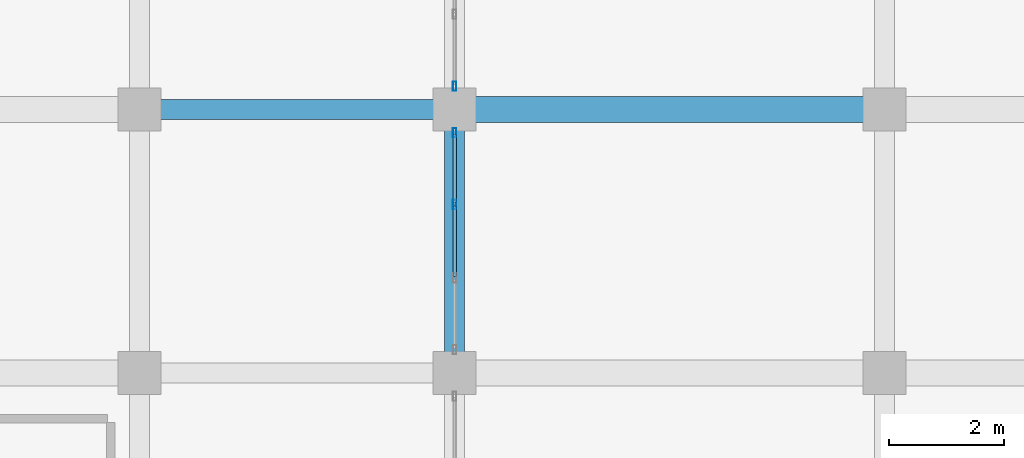
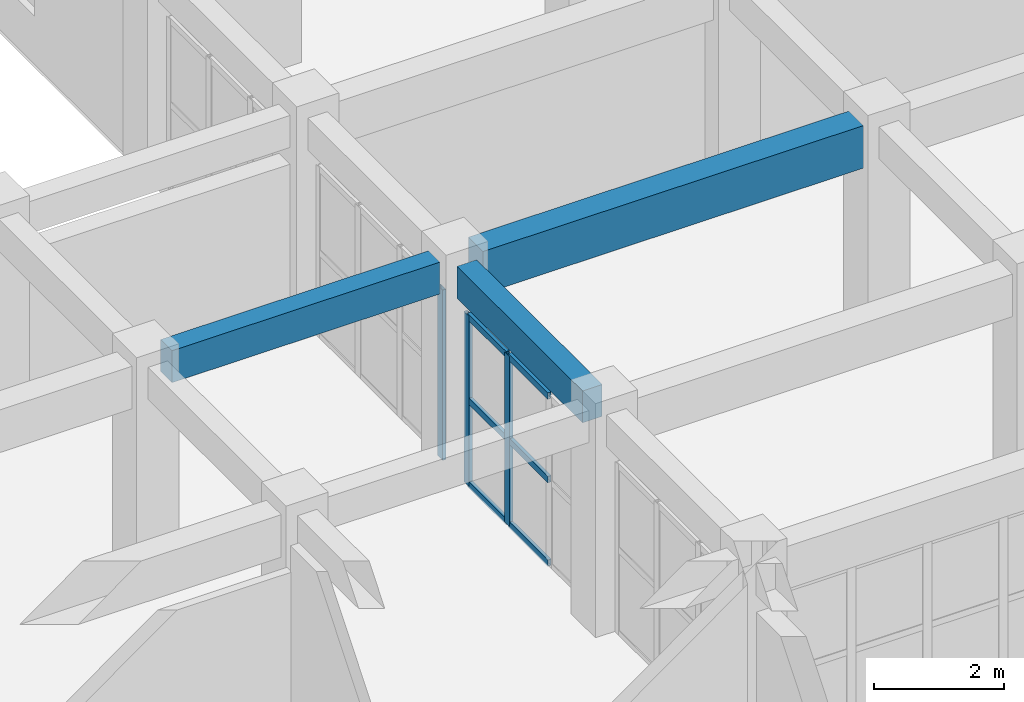
# One storey, part 27 of 116: 9 members, 3 beams, 2 elements without a shape of their own.
"""IFC4 building model written with IfcOpenShell, lengths in metres."""

from ifc_helpers import new_model, si_unit, direction, frame, origin, origin_2d, place, context, subcontext, project, spatial, rectangle, hollow_rectangle, extrude, material, layer, layer_set, material_profile, profile_set, type_object, element, aggregate, save


model = new_model("IFC4")

# Units and contexts
model_context = context("Model", 3, precision=1e-05, world=origin(), true_north=direction((0.0, 1.0)))
body_context = subcontext(model_context, "Body", "Model", "MODEL_VIEW")
ifc_project = project(units=[si_unit("LENGTHUNIT", "METRE"), si_unit("AREAUNIT", "SQUARE_METRE"), si_unit("VOLUMEUNIT", "CUBIC_METRE"), si_unit("PLANEANGLEUNIT", "RADIAN"), si_unit("MASSUNIT", "GRAM", prefix="KILO")], contexts=[model_context])

# Site, building, storey
site_placement = place(None, origin())
site = spatial("IfcSite", under=ifc_project, at=site_placement, CompositionType="ELEMENT")
building_placement = place(site_placement, origin())
building = spatial("IfcBuilding", under=site, at=building_placement, Name="Muzn Square Opera House", CompositionType="ELEMENT")
storey_placement = place(building_placement, frame((0.0, 0.0, 5.39990234375)))
storey = spatial("IfcBuildingStorey", under=building, at=storey_placement, Name="L01", CompositionType="ELEMENT", Elevation=5.39990234375)

# Curtain wall, members
ifc_material_1 = material(Name="Low-E laminated acoustic double glazing", Category="glass")
ifc_layer = layer(ifc_material_1, 0.159912109375, Name="Low-E laminated acoustic double glazing", Category="glass")
ifc_layer_set = layer_set([ifc_layer], Name="Low-E laminated acoustic double glazing")
curtain_wall_type = type_object("IfcCurtainWallType", Name="Glazed Curtain Wall WestCourt 3850x3200", PredefinedType="USERDEFINED", material=ifc_layer_set)
curtain_wall_1_placement = place(storey_placement, origin())
curtain_wall_1 = element("IfcCurtainWall", 1, at=curtain_wall_1_placement, inside=storey, type_object=curtain_wall_type, Name="Glazed Curtain Wall CW-L01-145", ObjectType="GLAZED CURTAIN WALL", PredefinedType="USERDEFINED")
ifc_material_2 = material(Name="Anodised bronze aluminium 6063-T6", Category="metal")
ifc_material_profile_1 = material_profile(ifc_material_2, hollow_rectangle(XDim=0.06005859375, YDim=0.159912109375, WallThickness=0.00390625, at=origin_2d()), Name="ALU 160x60x4", Category="metal")
ifc_profile_set_1 = profile_set([ifc_material_profile_1], Name="Anodised bronze aluminium 6063-T6")
member_type_1 = type_object("IfcMemberType", Name="Curtain Wall Mullion 160x60", PredefinedType="MULLION", material=ifc_profile_set_1)
member_1_placement = place(storey_placement, frame((19.0, 61.74169921875, 0.0), z_axis=(0.0, 0.0, 1.0), x_axis=(-1.0, 0.0, 0.0)))
member_1 = element("IfcMember", 2, at=member_1_placement, type_object=member_type_1, Name="CW-WCT-38x32 mullion 3", PredefinedType="MULLION", context=body_context, shape_type="SweptSolid", body=[
    extrude(hollow_rectangle(XDim=0.06005859375, YDim=0.159912109375, WallThickness=0.00390625, at=origin_2d()), origin(), (0.0, 0.0, 1.0), 3.2001953125),
])
member_2_placement = place(storey_placement, frame((19.0, 62.9951171875, 0.0), z_axis=(0.0, 0.0, 1.0), x_axis=(-1.0, 0.0, 0.0)))
member_2 = element("IfcMember", 3, at=member_2_placement, type_object=member_type_1, Name="CW-WCT-38x32 mullion 4", PredefinedType="MULLION", context=body_context, shape_type="SweptSolid", body=[
    extrude(hollow_rectangle(XDim=0.06005859375, YDim=0.159912109375, WallThickness=0.00390625, at=origin_2d()), origin(), (0.0, 0.0, 1.0), 3.2001953125),
])

# Curtain wall, member
curtain_wall_2_placement = place(storey_placement, origin())
curtain_wall_2 = element("IfcCurtainWall", 4, at=curtain_wall_2_placement, inside=storey, type_object=curtain_wall_type, Name="Glazed Curtain Wall CW-L01-146", ObjectType="GLAZED CURTAIN WALL", PredefinedType="USERDEFINED")
member_3_placement = place(storey_placement, frame((19.0, 63.804931640625, 0.0), z_axis=(0.0, 0.0, 1.0), x_axis=(-1.0, 0.0, 0.0)))
member_3 = element("IfcMember", 5, at=member_3_placement, type_object=member_type_1, Name="CW-WCT-38x32 mullion 1", PredefinedType="MULLION", context=body_context, shape_type="SweptSolid", body=[
    extrude(hollow_rectangle(XDim=0.06005859375, YDim=0.159912109375, WallThickness=0.00390625, at=origin_2d()), origin(), (0.0, 0.0, 1.0), 3.2001953125),
])
aggregate(curtain_wall_2, [member_3])

# Member
ifc_material_profile_2 = material_profile(ifc_material_2, hollow_rectangle(XDim=0.06005859375, YDim=0.1201171875, WallThickness=0.00390625, at=origin_2d()), Name="ALU 120x60x4", Category="metal")
ifc_profile_set_2 = profile_set([ifc_material_profile_2], Name="Anodised bronze aluminium 6063-T6")
member_type_2 = type_object("IfcMemberType", Name="Curtain Wall Transom 120x60", PredefinedType="USERDEFINED", material=ifc_profile_set_2)
member_4_placement = place(storey_placement, frame((19.0, 60.48828125, 0.030029296875), z_axis=(0.0, 1.0, 0.0), x_axis=(-1.0, 0.0, 0.0)))
member_4 = element("IfcMember", 6, at=member_4_placement, type_object=member_type_2, Name="CW-WCT-38x32 transom 2.1", ObjectType="TRANSOM", PredefinedType="USERDEFINED", context=body_context, shape_type="SweptSolid", body=[
    extrude(hollow_rectangle(XDim=0.06005859375, YDim=0.1201171875, WallThickness=0.00390625, at=origin_2d()), origin(), (0.0, 0.0, 1.0), 1.223388671875),
])

member_5_placement = place(storey_placement, frame((19.0, 60.48828125, 1.60009765625), z_axis=(0.0, 1.0, 0.0), x_axis=(-1.0, 0.0, 0.0)))
member_5 = element("IfcMember", 7, at=member_5_placement, type_object=member_type_2, Name="CW-WCT-38x32 transom 2.2", ObjectType="TRANSOM", PredefinedType="USERDEFINED", context=body_context, shape_type="SweptSolid", body=[
    extrude(hollow_rectangle(XDim=0.06005859375, YDim=0.1201171875, WallThickness=0.00390625, at=origin_2d()), origin(), (0.0, 0.0, 1.0), 1.223388671875),
])

member_6_placement = place(storey_placement, frame((19.0, 60.48828125, 3.170166015625), z_axis=(0.0, 1.0, 0.0), x_axis=(-1.0, 0.0, 0.0)))
member_6 = element("IfcMember", 8, at=member_6_placement, type_object=member_type_2, Name="CW-WCT-38x32 transom 2.3", ObjectType="TRANSOM", PredefinedType="USERDEFINED", context=body_context, shape_type="SweptSolid", body=[
    extrude(hollow_rectangle(XDim=0.06005859375, YDim=0.1201171875, WallThickness=0.00390625, at=origin_2d()), origin(), (0.0, 0.0, 1.0), 1.223388671875),
])

member_7_placement = place(storey_placement, frame((19.0, 61.771728515625, 0.030029296875), z_axis=(0.0, 1.0, 0.0), x_axis=(-1.0, 0.0, 0.0)))
member_7 = element("IfcMember", 9, at=member_7_placement, type_object=member_type_2, Name="CW-WCT-38x32 transom 3.1", ObjectType="TRANSOM", PredefinedType="USERDEFINED", context=body_context, shape_type="SweptSolid", body=[
    extrude(hollow_rectangle(XDim=0.06005859375, YDim=0.1201171875, WallThickness=0.00390625, at=origin_2d()), origin(), (0.0, 0.0, 1.0), 1.193359375),
])

member_8_placement = place(storey_placement, frame((19.0, 61.771728515625, 1.60009765625), z_axis=(0.0, 1.0, 0.0), x_axis=(-1.0, 0.0, 0.0)))
member_8 = element("IfcMember", 10, at=member_8_placement, type_object=member_type_2, Name="CW-WCT-38x32 transom 3.2", ObjectType="TRANSOM", PredefinedType="USERDEFINED", context=body_context, shape_type="SweptSolid", body=[
    extrude(hollow_rectangle(XDim=0.06005859375, YDim=0.1201171875, WallThickness=0.00390625, at=origin_2d()), origin(), (0.0, 0.0, 1.0), 1.193359375),
])

member_9_placement = place(storey_placement, frame((19.0, 61.771728515625, 3.170166015625), z_axis=(0.0, 1.0, 0.0), x_axis=(-1.0, 0.0, 0.0)))
member_9 = element("IfcMember", 11, at=member_9_placement, type_object=member_type_2, Name="CW-WCT-38x32 transom 3.3", ObjectType="TRANSOM", PredefinedType="USERDEFINED", context=body_context, shape_type="SweptSolid", body=[
    extrude(hollow_rectangle(XDim=0.06005859375, YDim=0.1201171875, WallThickness=0.00390625, at=origin_2d()), origin(), (0.0, 0.0, 1.0), 1.193359375),
])

aggregate(curtain_wall_1, [member_1, member_2, member_4, member_5, member_6, member_7, member_8, member_9])

# Beams
ifc_material_3 = material(Name="Concrete C40/50", Category="concrete")
ifc_material_profile_3 = material_profile(ifc_material_3, rectangle(XDim=0.35009765625, YDim=0.60009765625, at=origin_2d()), Name="RCB 350x600", Category="concrete")
ifc_profile_set_3 = profile_set([ifc_material_profile_3], Name="Concrete C40/50")
beam_type_1 = type_object("IfcBeamType", Name="Primary Girder 350x600", PredefinedType="BEAM", material=ifc_profile_set_3)
beam_1_placement = place(storey_placement, frame((13.866943359375, 63.39990234375, 3.85009765625), z_axis=(1.0, 0.0, 0.0), x_axis=(0.0, 1.0, 0.0)))
element("IfcBeam", 12, at=beam_1_placement, inside=storey, type_object=beam_type_1, Name="Primary Girder BM-L01-BM-PG600-139_634_186_634-1396", PredefinedType="BEAM", context=body_context, shape_type="SweptSolid", body=[
    extrude(rectangle(XDim=0.35009765625, YDim=0.60009765625, at=origin_2d()), origin(), (0.0, 0.0, 1.0), 4.76611328125),
])
beam_2_placement = place(storey_placement, frame((19.0, 59.1669921875, 3.820068359375), z_axis=(0.0, 1.0, 0.0), x_axis=(-1.0, 0.0, 0.0)))
element("IfcBeam", 13, at=beam_2_placement, inside=storey, type_object=beam_type_1, Name="Primary Girder BM-L01-BM-PG600-190_592_190_630-1564", PredefinedType="BEAM", context=body_context, shape_type="SweptSolid", body=[
    extrude(rectangle(XDim=0.35009765625, YDim=0.60009765625, at=origin_2d()), origin(), (0.0, 0.0, 1.0), 3.865966796875),
])
ifc_material_profile_4 = material_profile(ifc_material_3, rectangle(XDim=0.449951171875, YDim=0.800048828125, at=origin_2d()), Name="RCB 450x800", Category="concrete")
ifc_profile_set_4 = profile_set([ifc_material_profile_4], Name="Concrete C40/50")
beam_type_2 = type_object("IfcBeamType", Name="Primary Girder 450x800", PredefinedType="BEAM", material=ifc_profile_set_4)
beam_3_placement = place(storey_placement, frame((19.366943359375, 63.39990234375, 3.72021484375), z_axis=(1.0, 0.0, 0.0), x_axis=(0.0, 1.0, 0.0)))
element("IfcBeam", 14, at=beam_3_placement, inside=storey, type_object=beam_type_2, Name="Primary Girder BM-L01-BM-PG800-194_634_261_634-1397", PredefinedType="BEAM", context=body_context, shape_type="SweptSolid", body=[
    extrude(rectangle(XDim=0.449951171875, YDim=0.800048828125, at=origin_2d()), origin(), (0.0, 0.0, 1.0), 6.76611328125),
])

save(model, "model.ifc")
